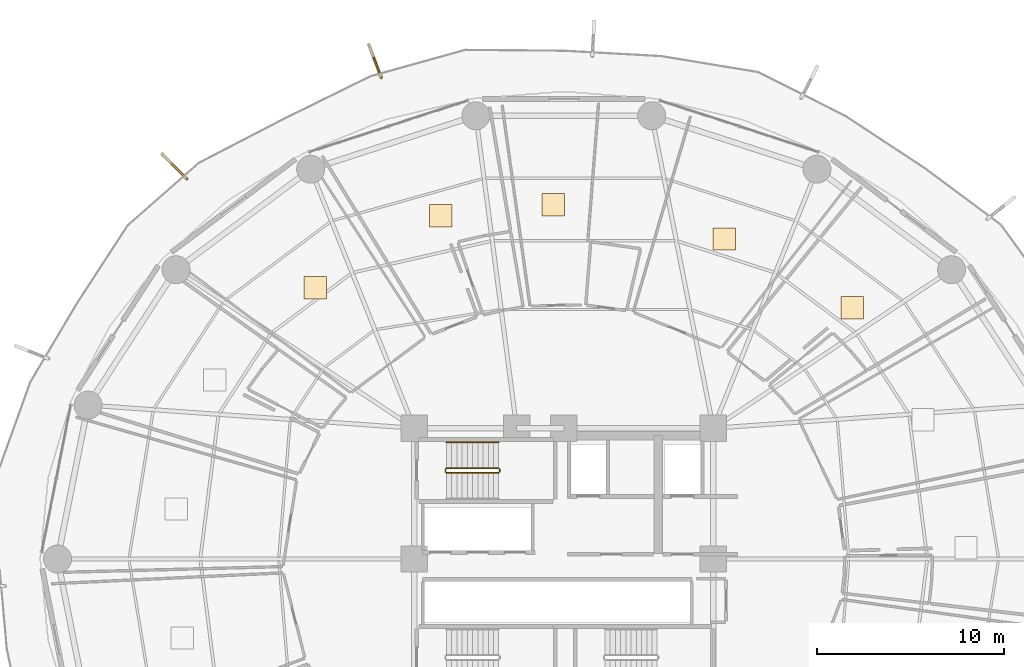
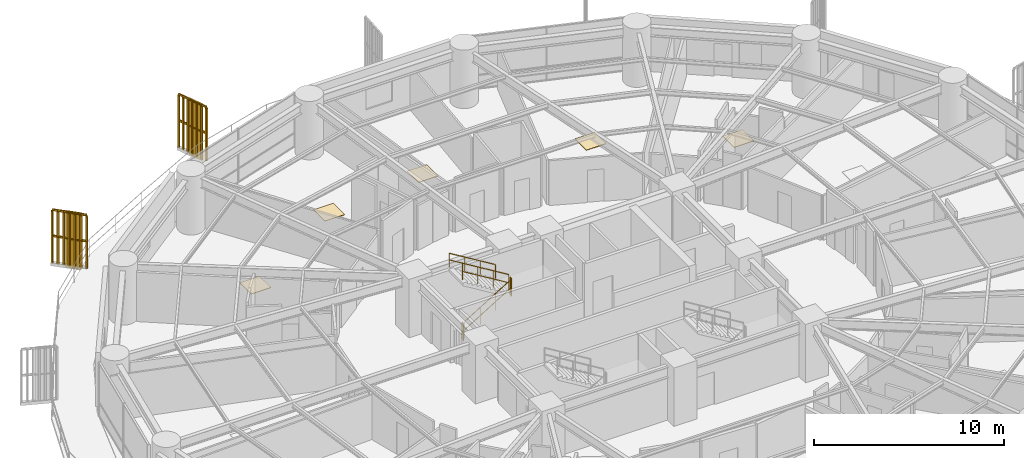
# One storey, part 32 of 33: 7 railings, 5 coverings, 2 shading devices.
"""IFC4 building model written with IfcOpenShell, lengths in metres."""

import ifcopenshell
import ifcopenshell.guid

model = None  # the IFC model being written
_history = None  # IfcOwnerHistory: only IFC2X3 demands one
_inside = {}  # id of a spatial element -> (the spatial element, [elements in it])
_under = {}  # id of a project, library or spatial element -> (it, [spatial elements below it])
_declared = {}  # id of a project -> (the project, [libraries it declares])
_typed = {}  # id of a type object -> (the type object, [elements of that type])
_made_of = {}  # id of a material, layer set ... -> (it, [elements and type objects made of it])


def new_model(schema):
    """Start an empty IFC model of exactly this schema.

    Asked for "IFC4X3", IfcOpenShell would pick the latest addendum, in which some entities
    have other attributes; the version numbers below select the first issue.
    IFC2X3 requires an IfcOwnerHistory on every rooted entity: one is made here for all.
    """
    global model, _history
    if schema == "IFC4X3":
        model = ifcopenshell.file(schema_version=(4, 3, 0, 0))
    else:
        model = ifcopenshell.file(schema=schema)
    _inside.clear()
    _under.clear()
    _declared.clear()
    _typed.clear()
    _made_of.clear()
    _history = None
    if model.schema == "IFC2X3":
        org = make("IfcOrganization", Name="unknown")
        user = make(
            "IfcPersonAndOrganization",
            ThePerson=make("IfcPerson", FamilyName="unknown"),
            TheOrganization=org,
        )
        app = make(
            "IfcApplication",
            ApplicationDeveloper=org,
            Version="unknown",
            ApplicationFullName="unknown",
            ApplicationIdentifier="unknown",
        )
        _history = make(
            "IfcOwnerHistory",
            OwningUser=user,
            OwningApplication=app,
            ChangeAction="ADDED",
            CreationDate=0,
        )
    return model


def make(cls, **values):
    """One entity of the class cls with the attributes given. An attribute that is None is left unset."""
    return model.create_entity(
        cls, **{name: value for name, value in values.items() if value is not None}
    )


def rooted(cls, **values):
    """An entity with a GlobalId (a new one), such as an element, a storey or a relation."""
    return make(cls, GlobalId=ifcopenshell.guid.new(), OwnerHistory=_history, **values)


def si_unit(unit_type, name, prefix=None):
    """IfcSIUnit, for example si_unit("LENGTHUNIT", "METRE", prefix="MILLI")."""
    return make("IfcSIUnit", UnitType=unit_type, Prefix=prefix, Name=name)


def assignment(units):
    """IfcUnitAssignment: the units of a project."""
    return None if units is None else make("IfcUnitAssignment", Units=units)


def point(xyz):
    """IfcCartesianPoint."""
    return None if xyz is None else make("IfcCartesianPoint", Coordinates=xyz)


def direction(xyz):
    """IfcDirection."""
    return None if xyz is None else make("IfcDirection", DirectionRatios=xyz)


def frame(location, z_axis=None, x_axis=None):
    """IfcAxis2Placement3D, a coordinate frame: its origin and axes. An axis left out is left unset."""
    return make(
        "IfcAxis2Placement3D",
        Location=point(location),
        Axis=direction(z_axis),
        RefDirection=direction(x_axis),
    )


def frame_2d(location, x_axis=None):
    """IfcAxis2Placement2D, a coordinate frame in the plane: its origin and x axis."""
    return make(
        "IfcAxis2Placement2D", Location=point(location), RefDirection=direction(x_axis)
    )


def origin():
    """The frame at (0, 0, 0) with its axes left unset."""
    return frame((0.0, 0.0, 0.0))


def origin_2d():
    """The frame at (0, 0) in the plane with its x axis left unset."""
    return frame_2d((0.0, 0.0))


def place(relative_to, where):
    """IfcLocalPlacement: puts the frame where relative to a parent placement (None: the world)."""
    return make(
        "IfcLocalPlacement", PlacementRelTo=relative_to, RelativePlacement=where
    )


def context(
    kind, dimensions, precision=None, world=None, true_north=None, identifier=None
):
    """IfcGeometricRepresentationContext, for example the 3D "Model" context."""
    return make(
        "IfcGeometricRepresentationContext",
        ContextIdentifier=identifier,
        ContextType=kind,
        CoordinateSpaceDimension=dimensions,
        Precision=precision,
        WorldCoordinateSystem=world,
        TrueNorth=true_north,
    )


def subcontext(parent, identifier, kind, view, scale=None):
    """IfcGeometricRepresentationSubContext, for example "Body" below "Model"."""
    return make(
        "IfcGeometricRepresentationSubContext",
        ContextIdentifier=identifier,
        ContextType=kind,
        ParentContext=parent,
        TargetScale=scale,
        TargetView=view,
    )


def project(units=None, contexts=None):
    """IfcProject with its units and contexts."""
    return rooted(
        "IfcProject",
        Name="project",
        RepresentationContexts=contexts,
        UnitsInContext=assignment(units),
    )


def spatial(cls, under=None, at=None, **own):
    """A site, building, storey or space (cls), placed at a placement, below another one or the project."""
    s = rooted(cls, ObjectPlacement=at, **own)
    if under is not None:
        _under.setdefault(under.id(), (under, []))[1].append(s)
    return s


def polyline(points):
    """IfcPolyline through the points."""
    return make("IfcPolyline", Points=[point(p) for p in points])


def profile(cls, at=None, kind="AREA", **sizes):
    """A parametric profile (cls). Its sizes go by their IFC names, for example OverallWidth=200.0."""
    return make(cls, ProfileType=kind, Position=at, **sizes)


def rectangle(**sizes):
    """IfcRectangleProfileDef."""
    return profile("IfcRectangleProfileDef", **sizes)


def outline(outer, holes=None, kind="AREA"):
    """IfcArbitraryClosedProfileDef: a profile drawn as a closed curve; with holes, ...WithVoids."""
    if holes is None:
        return make("IfcArbitraryClosedProfileDef", ProfileType=kind, OuterCurve=outer)
    return make(
        "IfcArbitraryProfileDefWithVoids",
        ProfileType=kind,
        OuterCurve=outer,
        InnerCurves=holes,
    )


def extrude(swept, where, along, depth):
    """IfcExtrudedAreaSolid: the profile swept, set in the frame where, extruded along a direction by depth."""
    return make(
        "IfcExtrudedAreaSolid",
        SweptArea=swept,
        Position=where,
        ExtrudedDirection=direction(along),
        Depth=depth,
    )


def shape(context_of_items, identifier, shape_type, items):
    """IfcShapeRepresentation: the items that make up one representation, for example the "Body"."""
    return make(
        "IfcShapeRepresentation",
        ContextOfItems=context_of_items,
        RepresentationIdentifier=identifier,
        RepresentationType=shape_type,
        Items=items,
    )


def source(mapping_origin, context_of_items, identifier, shape_type, items):
    """IfcRepresentationMap: a shape defined once, which mapped items show again and again."""
    return make(
        "IfcRepresentationMap",
        MappingOrigin=mapping_origin,
        MappedRepresentation=shape(context_of_items, identifier, shape_type, items),
    )


def transform(
    local_origin,
    x_axis=None,
    y_axis=None,
    z_axis=None,
    scale=None,
    scale2=None,
    scale3=None,
    uniform=True,
):
    """IfcCartesianTransformationOperator3D, or its non-uniform kind. x_axis, y_axis, z_axis: its Axis1, 2, 3."""
    if uniform:
        return make(
            "IfcCartesianTransformationOperator3D",
            Axis1=direction(x_axis),
            Axis2=direction(y_axis),
            LocalOrigin=point(local_origin),
            Scale=scale,
            Axis3=direction(z_axis),
        )
    return make(
        "IfcCartesianTransformationOperator3DnonUniform",
        Axis1=direction(x_axis),
        Axis2=direction(y_axis),
        LocalOrigin=point(local_origin),
        Scale=scale,
        Axis3=direction(z_axis),
        Scale2=scale2,
        Scale3=scale3,
    )


def mapped(mapping_source, mapping_target):
    """IfcMappedItem: shows the shape of a source again, moved by a transform."""
    return make(
        "IfcMappedItem", MappingSource=mapping_source, MappingTarget=mapping_target
    )


def material(Name=None, Category=None):
    """IfcMaterial."""
    return make("IfcMaterial", Name=Name, Category=Category)


def layer(
    of_material, thickness, ventilated=None, Name=None, Category=None, Priority=None
):
    """IfcMaterialLayer: one layer of a wall or slab, of a material (None: an air gap)."""
    return make(
        "IfcMaterialLayer",
        Material=of_material,
        LayerThickness=thickness,
        IsVentilated=ventilated,
        Name=Name,
        Category=Category,
        Priority=Priority,
    )


def layer_set(layers, Name=None):
    """IfcMaterialLayerSet."""
    return make("IfcMaterialLayerSet", MaterialLayers=layers, LayerSetName=Name)


def made_of(thing, what):
    """Note that an element or type object is made of a material, layer set ...; save() writes the relation."""
    if what is not None:
        _made_of.setdefault(what.id(), (what, []))[1].append(thing)
    return thing


def type_object(cls, material=None, **own):
    """A type object (cls), such as IfcWallType, which elements share."""
    return made_of(rooted(cls, **own), material)


def element(
    cls,
    number,
    at=None,
    inside=None,
    cuts=None,
    type_object=None,
    material=None,
    context=None,
    identifier="Body",
    shape_type=None,
    held_by="IfcProductDefinitionShape",
    body=None,
    shapes=None,
    **own,
):
    """One element of the class cls, such as IfcWall. Its Tag is "e" and its number.

    at: its placement. inside: the storey or other place that contains it. cuts: it is an
    opening in that element (IfcRelVoidsElement). A single representation is given by context,
    identifier, shape_type and body (its items); several are given by shapes. held_by: the class
    of the entity that holds the representations. save() writes the other relations.
    """
    e = rooted(cls, Tag="e%d" % number, ObjectPlacement=at, **own)
    if body is not None:
        shapes = [shape(context, identifier, shape_type, body)]
    if shapes is not None:
        e.Representation = make(held_by, Representations=shapes)
    if inside is not None:
        _inside.setdefault(inside.id(), (inside, []))[1].append(e)
    if cuts is not None:
        rooted(
            "IfcRelVoidsElement", RelatingBuildingElement=cuts, RelatedOpeningElement=e
        )
    if type_object is not None:
        _typed.setdefault(type_object.id(), (type_object, []))[1].append(e)
    return made_of(e, material)


def aggregate(whole, parts):
    """IfcRelAggregates: a whole, such as a stair, and the parts it consists of."""
    return rooted("IfcRelAggregates", RelatingObject=whole, RelatedObjects=parts)


def save(model, path):
    """Write the relations noted so far, then the file.

    IfcRelAggregates (storeys below a building ...), IfcRelContainedInSpatialStructure (elements
    in a storey), IfcRelDefinesByType, IfcRelAssociatesMaterial and IfcRelDeclares: one each for
    every whole, place, type object, material and project.
    """
    for whole, parts in _under.values():
        aggregate(whole, parts)
    for where, things in _inside.values():
        rooted(
            "IfcRelContainedInSpatialStructure",
            RelatedElements=things,
            RelatingStructure=where,
        )
    for kind, things in _typed.values():
        rooted("IfcRelDefinesByType", RelatedObjects=things, RelatingType=kind)
    for what, things in _made_of.values():
        rooted("IfcRelAssociatesMaterial", RelatedObjects=things, RelatingMaterial=what)
    for by, libraries in _declared.values():
        rooted("IfcRelDeclares", RelatingContext=by, RelatedDefinitions=libraries)
    model.write(path)


model = new_model("IFC4")

# Units and contexts
model_context = context("Model", 3, precision=1e-05, world=origin(), true_north=direction((0.0, 1.0)))
body_context = subcontext(model_context, "Body", "Model", "MODEL_VIEW")
ifc_project = project(units=[si_unit("LENGTHUNIT", "METRE"), si_unit("AREAUNIT", "SQUARE_METRE"), si_unit("VOLUMEUNIT", "CUBIC_METRE"), si_unit("PLANEANGLEUNIT", "RADIAN"), si_unit("MASSUNIT", "GRAM", prefix="KILO")], contexts=[model_context])

# Site, building, storey
site_placement = place(None, origin())
site = spatial("IfcSite", under=ifc_project, at=site_placement, CompositionType="ELEMENT")
building_placement = place(site_placement, origin())
building = spatial("IfcBuilding", under=site, at=building_placement, Name="Kelanora Arch Commons", CompositionType="ELEMENT")
storey_placement = place(building_placement, frame((0.0, 0.0, 37.5)))
storey = spatial("IfcBuildingStorey", under=building, at=storey_placement, Name="L09", CompositionType="ELEMENT", Elevation=37.5)

# Railings
ifc_material_1 = material(Name="Anodised bronze vertical shading fin rib assembly")
railing_type_1 = type_object("IfcRailingType", Name="RAIL-FIN-BRZ", PredefinedType="BALUSTRADE", material=ifc_material_1)
railing_1_placement = place(storey_placement, frame((64.2353515625, 83.762451171875, -0.02001953125)))
element("IfcRailing", 1, at=railing_1_placement, inside=storey, type_object=railing_type_1, Name="Sweeping Bronze Vertical Fin Blade L09-04", PredefinedType="BALUSTRADE", context=body_context, shape_type="SweptSolid", body=[
    extrude(outline(polyline([(0.06982421875, 0.0), (0.034912109375, 0.060546875), (-0.034912109375, 0.060546875), (-0.06982421875, 0.0), (-0.034912109375, -0.060546875), (0.034912109375, -0.060546875), (0.06982421875, 0.0)])), frame((0.0, 0.0, 3.419921875), z_axis=(-0.354380195979, 0.935101425888, 0.0), x_axis=(-0.935101425888, -0.354380195979, 0.0)), (0.0, 0.0, 1.0), 1.880126953125),
    extrude(outline(polyline([(0.06982421875, 0.0), (0.034912109375, 0.060546875), (-0.034912109375, 0.060546875), (-0.06982421875, 0.0), (-0.034912109375, -0.060546875), (0.034912109375, -0.060546875), (0.06982421875, 0.0)])), frame((0.0, 0.0, 1.7451171875), z_axis=(-0.354380195979, 0.935101425888, 0.0), x_axis=(-0.935101425888, -0.354380195979, 0.0)), (0.0, 0.0, 1.0), 1.880126953125),
    extrude(outline(polyline([(0.080078125, 0.0), (0.0400390625, 0.0693359375), (-0.0400390625, 0.0693359375), (-0.080078125, 0.0), (-0.0400390625, -0.0693359375), (0.0400390625, -0.0693359375), (0.080078125, 0.0)])), origin(), (0.0, 0.0, 1.0), 3.35009765625),
    extrude(outline(polyline([(0.080078125, 0.0), (0.0400390625, 0.0693359375), (-0.0400390625, 0.0693359375), (-0.080078125, 0.0), (-0.0400390625, -0.0693359375), (0.0400390625, -0.0693359375), (0.080078125, 0.0)])), frame((-0.111083984375, 0.29296875, 0.0)), (0.0, 0.0, 1.0), 3.35009765625),
    extrude(outline(polyline([(0.080078125, 0.0), (0.0400390625, 0.0693359375), (-0.0400390625, 0.0693359375), (-0.080078125, 0.0), (-0.0400390625, -0.0693359375), (0.0400390625, -0.0693359375), (0.080078125, 0.0)])), frame((-0.22216796875, 0.5859375, 0.0)), (0.0, 0.0, 1.0), 3.35009765625),
    extrude(outline(polyline([(0.080078125, 0.0), (0.0400390625, 0.0693359375), (-0.0400390625, 0.0693359375), (-0.080078125, 0.0), (-0.0400390625, -0.0693359375), (0.0400390625, -0.0693359375), (0.080078125, 0.0)])), frame((-0.3330078125, 0.87890625, 0.0)), (0.0, 0.0, 1.0), 3.35009765625),
    extrude(outline(polyline([(0.080078125, 0.0), (0.0400390625, 0.0693359375), (-0.0400390625, 0.0693359375), (-0.080078125, 0.0), (-0.0400390625, -0.0693359375), (0.0400390625, -0.0693359375), (0.080078125, 0.0)])), frame((-0.444091796875, 1.172119140625, 0.0)), (0.0, 0.0, 1.0), 3.35009765625),
    extrude(outline(polyline([(0.080078125, 0.0), (0.0400390625, 0.0693359375), (-0.0400390625, 0.0693359375), (-0.080078125, 0.0), (-0.0400390625, -0.0693359375), (0.0400390625, -0.0693359375), (0.080078125, 0.0)])), frame((-0.55517578125, 1.465087890625, 0.0)), (0.0, 0.0, 1.0), 3.35009765625),
    extrude(outline(polyline([(0.080078125, 0.0), (0.0400390625, 0.0693359375), (-0.0400390625, 0.0693359375), (-0.080078125, 0.0), (-0.0400390625, -0.0693359375), (0.0400390625, -0.0693359375), (0.080078125, 0.0)])), frame((-0.666259765625, 1.758056640625, 0.0)), (0.0, 0.0, 1.0), 3.35009765625),
])
railing_2_placement = place(storey_placement, frame((53.83349609375, 78.33740234375, -0.02001953125)))
element("IfcRailing", 2, at=railing_2_placement, inside=storey, type_object=railing_type_1, Name="Sweeping Bronze Vertical Fin Blade L09-05", PredefinedType="BALUSTRADE", context=body_context, shape_type="SweptSolid", body=[
    extrude(outline(polyline([(0.06982421875, 0.0), (0.034912109375, 0.060546875), (-0.034912109375, 0.060546875), (-0.06982421875, 0.0), (-0.034912109375, -0.060546875), (0.034912109375, -0.060546875), (0.06982421875, 0.0)])), frame((0.0, 0.0, 3.419921875), z_axis=(-0.704048150289, 0.710152238661, 0.0), x_axis=(-0.710152238661, -0.704048150289, 0.0)), (0.0, 0.0, 1.0), 1.8798828125),
    extrude(outline(polyline([(0.06982421875, 0.0), (0.034912109375, 0.060546875), (-0.034912109375, 0.060546875), (-0.06982421875, 0.0), (-0.034912109375, -0.060546875), (0.034912109375, -0.060546875), (0.06982421875, 0.0)])), frame((0.0, 0.0, 1.7451171875), z_axis=(-0.704048150289, 0.710152238661, 0.0), x_axis=(-0.710152238661, -0.704048150289, 0.0)), (0.0, 0.0, 1.0), 1.8798828125),
    extrude(outline(polyline([(0.080078125, 0.0), (0.0400390625, 0.0693359375), (-0.0400390625, 0.0693359375), (-0.080078125, 0.0), (-0.0400390625, -0.0693359375), (0.0400390625, -0.0693359375), (0.080078125, 0.0)])), origin(), (0.0, 0.0, 1.0), 3.35009765625),
    extrude(outline(polyline([(0.080078125, 0.0), (0.0400390625, 0.0693359375), (-0.0400390625, 0.0693359375), (-0.080078125, 0.0), (-0.0400390625, -0.0693359375), (0.0400390625, -0.0693359375), (0.080078125, 0.0)])), frame((-0.220703125, 0.222412109375, 0.0)), (0.0, 0.0, 1.0), 3.35009765625),
    extrude(outline(polyline([(0.080078125, 0.0), (0.0400390625, 0.0693359375), (-0.0400390625, 0.0693359375), (-0.080078125, 0.0), (-0.0400390625, -0.0693359375), (0.0400390625, -0.0693359375), (0.080078125, 0.0)])), frame((-0.441162109375, 0.445068359375, 0.0)), (0.0, 0.0, 1.0), 3.35009765625),
    extrude(outline(polyline([(0.080078125, 0.0), (0.0400390625, 0.0693359375), (-0.0400390625, 0.0693359375), (-0.080078125, 0.0), (-0.0400390625, -0.0693359375), (0.0400390625, -0.0693359375), (0.080078125, 0.0)])), frame((-0.66162109375, 0.66748046875, 0.0)), (0.0, 0.0, 1.0), 3.35009765625),
    extrude(outline(polyline([(0.080078125, 0.0), (0.0400390625, 0.0693359375), (-0.0400390625, 0.0693359375), (-0.080078125, 0.0), (-0.0400390625, -0.0693359375), (0.0400390625, -0.0693359375), (0.080078125, 0.0)])), frame((-0.88232421875, 0.889892578125, 0.0)), (0.0, 0.0, 1.0), 3.35009765625),
    extrude(outline(polyline([(0.080078125, 0.0), (0.0400390625, 0.0693359375), (-0.0400390625, 0.0693359375), (-0.080078125, 0.0), (-0.0400390625, -0.0693359375), (0.0400390625, -0.0693359375), (0.080078125, 0.0)])), frame((-1.10302734375, 1.112548828125, 0.0)), (0.0, 0.0, 1.0), 3.35009765625),
    extrude(outline(polyline([(0.080078125, 0.0), (0.0400390625, 0.0693359375), (-0.0400390625, 0.0693359375), (-0.080078125, 0.0), (-0.0400390625, -0.0693359375), (0.0400390625, -0.0693359375), (0.080078125, 0.0)])), frame((-1.323486328125, 1.3349609375, 0.0)), (0.0, 0.0, 1.0), 3.35009765625),
])
ifc_material_2 = material(Name="Painted steel stair well guard", Category="steel")
railing_type_2 = type_object("IfcRailingType", Name="RAIL-STAIR-GRD", PredefinedType="GUARDRAIL", material=ifc_material_2)
railing_3_placement = place(storey_placement, frame((67.719970703125, 62.610107421875, 0.17041015625)))
element("IfcRailing", 3, at=railing_3_placement, inside=storey, type_object=railing_type_2, Name="L09 ST-T1 stair guard 1", PredefinedType="GUARDRAIL", context=body_context, shape_type="SweptSolid", body=[
    extrude(outline(polyline([(0.02392578125, 0.0), (0.011962890625, 0.020751953125), (-0.011962890625, 0.020751953125), (-0.02392578125, 0.0), (-0.011962890625, -0.020751953125), (0.011962890625, -0.020751953125), (0.02392578125, 0.0)])), frame((0.0, 0.0, 1.076171875), z_axis=(0.854169791009, 0.0, 0.51999420009), x_axis=(0.0, 1.0, 0.0)), (0.0, 0.0, 1.0), 3.278076171875),
    extrude(outline(polyline([(0.02392578125, 0.0), (0.011962890625, 0.020751953125), (-0.011962890625, 0.020751953125), (-0.02392578125, 0.0), (-0.011962890625, -0.020751953125), (0.011962890625, -0.020751953125), (0.02392578125, 0.0)])), frame((0.0, 0.0, 0.550048828125), z_axis=(0.854169791009, 0.0, 0.51999420009), x_axis=(0.0, 1.0, 0.0)), (0.0, 0.0, 1.0), 3.278076171875),
    extrude(outline(polyline([(0.02099609375, 0.0), (0.010498046875, 0.01806640625), (-0.010498046875, 0.01806640625), (-0.02099609375, 0.0), (-0.010498046875, -0.01806640625), (0.010498046875, -0.01806640625), (0.02099609375, 0.0)])), origin(), (0.0, 0.0, 1.0), 1.052001953125),
    extrude(outline(polyline([(0.02099609375, 0.0), (0.010498046875, 0.01806640625), (-0.010498046875, 0.01806640625), (-0.02099609375, 0.0), (-0.010498046875, -0.01806640625), (0.010498046875, -0.01806640625), (0.02099609375, 0.0)])), frame((0.933349609375, 0.0, 0.568115234375)), (0.0, 0.0, 1.0), 1.052001953125),
    extrude(outline(polyline([(0.02099609375, 0.0), (0.010498046875, 0.01806640625), (-0.010498046875, 0.01806640625), (-0.02099609375, 0.0), (-0.010498046875, -0.01806640625), (0.010498046875, -0.01806640625), (0.02099609375, 0.0)])), frame((1.86669921875, 0.0, 1.136474609375)), (0.0, 0.0, 1.0), 1.052001953125),
    extrude(outline(polyline([(0.02099609375, 0.0), (0.010498046875, 0.01806640625), (-0.010498046875, 0.01806640625), (-0.02099609375, 0.0), (-0.010498046875, -0.01806640625), (0.010498046875, -0.01806640625), (0.02099609375, 0.0)])), frame((2.800048828125, 0.0, 1.70458984375)), (0.0, 0.0, 1.0), 1.052001953125),
])
railing_4_placement = place(storey_placement, frame((70.570068359375, 62.659912109375, 1.875)))
element("IfcRailing", 4, at=railing_4_placement, inside=storey, type_object=railing_type_2, Name="L09 ST-T1 stair guard 2", PredefinedType="GUARDRAIL", context=body_context, shape_type="SweptSolid", body=[
    extrude(outline(polyline([(0.02392578125, 0.0), (0.011962890625, 0.020751953125), (-0.011962890625, 0.020751953125), (-0.02392578125, 0.0), (-0.011962890625, -0.020751953125), (0.011962890625, -0.020751953125), (0.02392578125, 0.0)])), frame((0.0, 0.0, 1.076171875), z_axis=(0.0, 1.0, 0.0), x_axis=(-1.0, 0.0, 0.0)), (0.0, 0.0, 1.0), 0.150146484375),
    extrude(outline(polyline([(0.02392578125, 0.0), (0.011962890625, 0.020751953125), (-0.011962890625, 0.020751953125), (-0.02392578125, 0.0), (-0.011962890625, -0.020751953125), (0.011962890625, -0.020751953125), (0.02392578125, 0.0)])), frame((0.0, 0.0, 0.550048828125), z_axis=(0.0, 1.0, 0.0), x_axis=(-1.0, 0.0, 0.0)), (0.0, 0.0, 1.0), 0.150146484375),
    extrude(outline(polyline([(0.02099609375, 0.0), (0.010498046875, 0.01806640625), (-0.010498046875, 0.01806640625), (-0.02099609375, 0.0), (-0.010498046875, -0.01806640625), (0.010498046875, -0.01806640625), (0.02099609375, 0.0)])), origin(), (0.0, 0.0, 1.0), 1.052001953125),
    extrude(outline(polyline([(0.02099609375, 0.0), (0.010498046875, 0.01806640625), (-0.010498046875, 0.01806640625), (-0.02099609375, 0.0), (-0.010498046875, -0.01806640625), (0.010498046875, -0.01806640625), (0.02099609375, 0.0)])), frame((0.0, 0.150146484375, 0.0)), (0.0, 0.0, 1.0), 1.052001953125),
])
railing_5_placement = place(storey_placement, frame((70.52001953125, 62.860107421875, 2.04541015625)))
element("IfcRailing", 5, at=railing_5_placement, inside=storey, type_object=railing_type_2, Name="L09 ST-T1 stair guard 3", PredefinedType="GUARDRAIL", context=body_context, shape_type="SweptSolid", body=[
    extrude(outline(polyline([(0.02392578125, 0.0), (0.011962890625, 0.020751953125), (-0.011962890625, 0.020751953125), (-0.02392578125, 0.0), (-0.011962890625, -0.020751953125), (0.011962890625, -0.020751953125), (0.02392578125, 0.0)])), frame((0.0, 0.0, 1.076171875), z_axis=(-0.854169791009, 0.0, 0.51999420009), x_axis=(0.0, -1.0, 0.0)), (0.0, 0.0, 1.0), 3.278076171875),
    extrude(outline(polyline([(0.02392578125, 0.0), (0.011962890625, 0.020751953125), (-0.011962890625, 0.020751953125), (-0.02392578125, 0.0), (-0.011962890625, -0.020751953125), (0.011962890625, -0.020751953125), (0.02392578125, 0.0)])), frame((0.0, 0.0, 0.550048828125), z_axis=(-0.854169791009, 0.0, 0.51999420009), x_axis=(0.0, -1.0, 0.0)), (0.0, 0.0, 1.0), 3.278076171875),
    extrude(outline(polyline([(0.02099609375, 0.0), (0.010498046875, 0.01806640625), (-0.010498046875, 0.01806640625), (-0.02099609375, 0.0), (-0.010498046875, -0.01806640625), (0.010498046875, -0.01806640625), (0.02099609375, 0.0)])), origin(), (0.0, 0.0, 1.0), 1.052001953125),
    extrude(outline(polyline([(0.02099609375, 0.0), (0.010498046875, 0.01806640625), (-0.010498046875, 0.01806640625), (-0.02099609375, 0.0), (-0.010498046875, -0.01806640625), (0.010498046875, -0.01806640625), (0.02099609375, 0.0)])), frame((-0.933349609375, 0.0, 0.568115234375)), (0.0, 0.0, 1.0), 1.052001953125),
    extrude(outline(polyline([(0.02099609375, 0.0), (0.010498046875, 0.01806640625), (-0.010498046875, 0.01806640625), (-0.02099609375, 0.0), (-0.010498046875, -0.01806640625), (0.010498046875, -0.01806640625), (0.02099609375, 0.0)])), frame((-1.86669921875, 0.0, 1.136474609375)), (0.0, 0.0, 1.0), 1.052001953125),
    extrude(outline(polyline([(0.02099609375, 0.0), (0.010498046875, 0.01806640625), (-0.010498046875, 0.01806640625), (-0.02099609375, 0.0), (-0.010498046875, -0.01806640625), (0.010498046875, -0.01806640625), (0.02099609375, 0.0)])), frame((-2.800048828125, 0.0, 1.70458984375)), (0.0, 0.0, 1.0), 1.052001953125),
])
railing_6_placement = place(storey_placement, frame((67.669921875, 62.659912109375, 0.0)))
element("IfcRailing", 6, at=railing_6_placement, inside=storey, type_object=railing_type_2, Name="L09 ST-T1 stair guard 4", PredefinedType="GUARDRAIL", context=body_context, shape_type="SweptSolid", body=[
    extrude(outline(polyline([(0.02392578125, 0.0), (0.011962890625, 0.020751953125), (-0.011962890625, 0.020751953125), (-0.02392578125, 0.0), (-0.011962890625, -0.020751953125), (0.011962890625, -0.020751953125), (0.02392578125, 0.0)])), frame((0.0, 0.0, 1.076171875), z_axis=(0.0, 1.0, 0.0), x_axis=(-1.0, 0.0, 0.0)), (0.0, 0.0, 1.0), 0.150146484375),
    extrude(outline(polyline([(0.02392578125, 0.0), (0.011962890625, 0.020751953125), (-0.011962890625, 0.020751953125), (-0.02392578125, 0.0), (-0.011962890625, -0.020751953125), (0.011962890625, -0.020751953125), (0.02392578125, 0.0)])), frame((0.0, 0.0, 0.550048828125), z_axis=(0.0, 1.0, 0.0), x_axis=(-1.0, 0.0, 0.0)), (0.0, 0.0, 1.0), 0.150146484375),
    extrude(outline(polyline([(0.02099609375, 0.0), (0.010498046875, 0.01806640625), (-0.010498046875, 0.01806640625), (-0.02099609375, 0.0), (-0.010498046875, -0.01806640625), (0.010498046875, -0.01806640625), (0.02099609375, 0.0)])), origin(), (0.0, 0.0, 1.0), 1.052001953125),
    extrude(outline(polyline([(0.02099609375, 0.0), (0.010498046875, 0.01806640625), (-0.010498046875, 0.01806640625), (-0.02099609375, 0.0), (-0.010498046875, -0.01806640625), (0.010498046875, -0.01806640625), (0.02099609375, 0.0)])), frame((0.0, 0.150146484375, 0.0)), (0.0, 0.0, 1.0), 1.052001953125),
])
ifc_material_3 = material(Name="Brushed stainless steel stair handrail", Category="steel")
railing_type_3 = type_object("IfcRailingType", Name="RAIL-STAIR-HND", PredefinedType="HANDRAIL", material=ifc_material_3)
railing_7_placement = place(storey_placement, frame((70.52001953125, 64.239990234375, 2.04541015625)))
element("IfcRailing", 7, at=railing_7_placement, inside=storey, type_object=railing_type_3, Name="L09 ST-T1 stair handrail 2", PredefinedType="HANDRAIL", context=body_context, shape_type="SweptSolid", body=[
    extrude(outline(polyline([(0.02392578125, 0.0), (0.011962890625, 0.020751953125), (-0.011962890625, 0.020751953125), (-0.02392578125, 0.0), (-0.011962890625, -0.020751953125), (0.011962890625, -0.020751953125), (0.02392578125, 0.0)])), frame((0.0, 0.0, 0.8759765625), z_axis=(-0.854169791009, 0.0, 0.51999420009), x_axis=(0.0, -1.0, 0.0)), (0.0, 0.0, 1.0), 3.278076171875),
    extrude(outline(polyline([(0.02392578125, 0.0), (0.011962890625, 0.020751953125), (-0.011962890625, 0.020751953125), (-0.02392578125, 0.0), (-0.011962890625, -0.020751953125), (0.011962890625, -0.020751953125), (0.02392578125, 0.0)])), frame((0.0, 0.0, 0.449951171875), z_axis=(-0.854169791009, 0.0, 0.51999420009), x_axis=(0.0, -1.0, 0.0)), (0.0, 0.0, 1.0), 3.278076171875),
    extrude(outline(polyline([(0.02099609375, 0.0), (0.010498046875, 0.01806640625), (-0.010498046875, 0.01806640625), (-0.02099609375, 0.0), (-0.010498046875, -0.01806640625), (0.010498046875, -0.01806640625), (0.02099609375, 0.0)])), origin(), (0.0, 0.0, 1.0), 0.851806640625),
    extrude(outline(polyline([(0.02099609375, 0.0), (0.010498046875, 0.01806640625), (-0.010498046875, 0.01806640625), (-0.02099609375, 0.0), (-0.010498046875, -0.01806640625), (0.010498046875, -0.01806640625), (0.02099609375, 0.0)])), frame((-0.933349609375, 0.0, 0.568115234375)), (0.0, 0.0, 1.0), 0.851806640625),
    extrude(outline(polyline([(0.02099609375, 0.0), (0.010498046875, 0.01806640625), (-0.010498046875, 0.01806640625), (-0.02099609375, 0.0), (-0.010498046875, -0.01806640625), (0.010498046875, -0.01806640625), (0.02099609375, 0.0)])), frame((-1.86669921875, 0.0, 1.136474609375)), (0.0, 0.0, 1.0), 0.851806640625),
    extrude(outline(polyline([(0.02099609375, 0.0), (0.010498046875, 0.01806640625), (-0.010498046875, 0.01806640625), (-0.02099609375, 0.0), (-0.010498046875, -0.01806640625), (0.010498046875, -0.01806640625), (0.02099609375, 0.0)])), frame((-2.800048828125, 0.0, 1.70458984375)), (0.0, 0.0, 1.0), 0.851806640625),
])

# Shading devices
ifc_material_4 = material(Name="Terracotta ceramic-clad extruded aluminium fin", Category="masonry")
shading_device_type = type_object("IfcShadingDeviceType", Name="SHD-FIN-FLARE", PredefinedType="USERDEFINED", material=ifc_material_4)
shared_shape_1 = source(origin(), body_context, "Body", "SweptSolid", [
    extrude(rectangle(XDim=0.8798828125, YDim=0.090087890625, at=origin_2d()), origin(), (0.0, 0.0, 1.0), 3.610107421875),
])
for number, where, z_axis, x_axis, name in (
    (8, (63.980224609375, 84.435791015625, -0.14013671875), (0.0, 0.0, 1.0), (-0.354454244484, 0.935073359992, 0.0), "Sweeping Terracotta Fin L09-04"),
    (9, (53.32666015625, 78.8486328125, -0.14013671875), (0.0, 0.0, 1.0), (-0.704138664464, 0.710062491058, 0.0), "Sweeping Terracotta Fin L09-05"),
):
    element("IfcShadingDevice", number, at=place(storey_placement, frame(where, z_axis=z_axis, x_axis=x_axis)), inside=storey, type_object=shading_device_type, Name=name, ObjectType="FIN", PredefinedType="USERDEFINED", context=body_context, shape_type="MappedRepresentation", body=[
        mapped(shared_shape_1, transform((0.0, 0.0, 0.0), scale=1.0)),
    ])

# Coverings
ifc_material_5 = material(Name="Polished local granite terrazzo flooring", Category="masonry")
ifc_layer = layer(ifc_material_5, 0.030029296875)
ifc_layer_set = layer_set([ifc_layer], Name="Polished local granite terrazzo flooring")
covering_type = type_object("IfcCoveringType", Name="COV-FLR-TER", PredefinedType="FLOORING", material=ifc_layer_set)
shared_shape_2 = source(origin(), body_context, "Body", "SweptSolid", [
    extrude(rectangle(XDim=1.199951171875, YDim=1.199951171875, at=origin_2d()), origin(), (0.0, 0.0, 1.0), 0.030029296875),
])
for number, where, z_axis, x_axis, name in (
    (10, (89.4296875, 71.45166015625, 0.0), (0.0, 0.0, 1.0), (1.0, 0.0, 0.0), "Co-Living Studio L09-06 Terrazzo Finish"),
    (11, (82.5830078125, 75.12158203125, 0.0), (0.0, 0.0, 1.0), (1.0, 0.0, 0.0), "Quiet Seminar Study Room L09-07 Terrazzo Finish"),
    (12, (73.443603515625, 76.96435546875, 0.0), (0.0, 0.0, 1.0), (1.0, 0.0, 0.0), "Tutorial Study Alcove L09-08 Terrazzo Finish"),
    (13, (67.414794921875, 76.36181640625, 0.0), (0.0, 0.0, 1.0), (1.0, 0.0, 0.0), "Co-Living Studio L09-09 Terrazzo Finish"),
    (14, (60.70947265625, 72.5048828125, 0.0), (0.0, 0.0, 1.0), (1.0, 0.0, 0.0), "Social Sky Lounge L09-10 Terrazzo Finish"),
):
    element("IfcCovering", number, at=place(storey_placement, frame(where, z_axis=z_axis, x_axis=x_axis)), inside=storey, type_object=covering_type, Name=name, PredefinedType="FLOORING", context=body_context, shape_type="MappedRepresentation", body=[
        mapped(shared_shape_2, transform((0.0, 0.0, 0.0), scale=1.0)),
    ])

save(model, "model.ifc")
